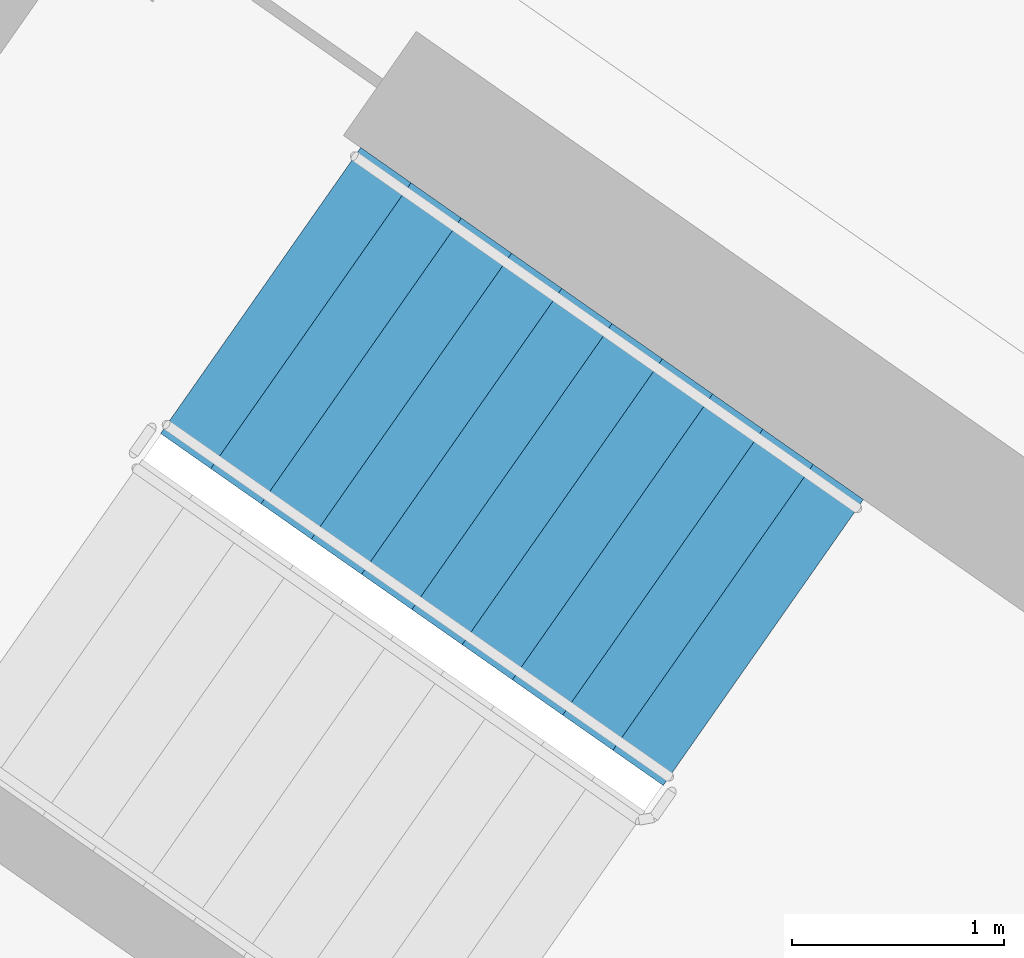
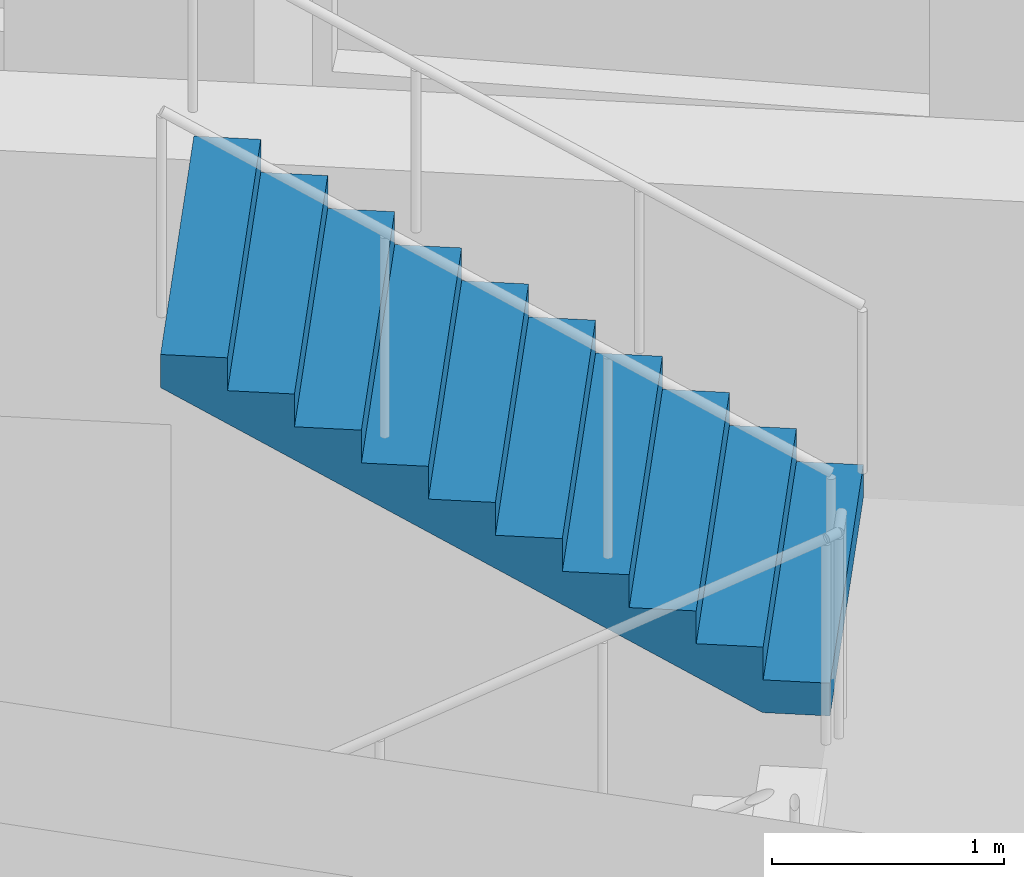
# One storey, part 14 of 27: 1 stair flight, 1 element without a shape of its own.
"""IFC4 building model written with IfcOpenShell, lengths in metres."""

from ifc_helpers import new_model, si_unit, direction, frame, origin, place, context, subcontext, project, spatial, faceted_brep, material, type_object, element, aggregate, save


model = new_model("IFC4")

# Units and contexts
model_context = context("Model", 3, precision=1e-05, world=origin(), true_north=direction((0.0, 1.0)))
body_context = subcontext(model_context, "Body", "Model", "MODEL_VIEW")
ifc_project = project(units=[si_unit("LENGTHUNIT", "METRE"), si_unit("AREAUNIT", "SQUARE_METRE"), si_unit("VOLUMEUNIT", "CUBIC_METRE"), si_unit("PLANEANGLEUNIT", "RADIAN"), si_unit("MASSUNIT", "GRAM", prefix="KILO")], contexts=[model_context])

# Site, building, storey
site_placement = place(None, origin())
site = spatial("IfcSite", under=ifc_project, at=site_placement, CompositionType="ELEMENT")
building_placement = place(site_placement, origin())
building = spatial("IfcBuilding", under=site, at=building_placement, Name="Qamariyya Broadcast Tower", CompositionType="ELEMENT")
storey_placement = place(building_placement, frame((0.0, 0.0, 187.300048828125)))
storey = spatial("IfcBuildingStorey", under=building, at=storey_placement, Name="L44", CompositionType="ELEMENT", Elevation=187.300048828125)

# Stair, stair flight
ifc_material = material(Name="Concrete C50/60", Category="concrete")
stair_type = type_object("IfcStairType", Name="Exit stair 22 risers of 173 mm", PredefinedType="HALF_TURN_STAIR", material=ifc_material)
stair_placement = place(storey_placement, origin())
stair = element("IfcStair", 1, at=stair_placement, inside=storey, type_object=stair_type, Name="L44 Stair W2", PredefinedType="HALF_TURN_STAIR")
stair_flight_type = type_object("IfcStairFlightType", Name="Exit stair flight 11 risers of 173 mm", PredefinedType="STRAIGHT", material=ifc_material)
stair_flight_placement = place(storey_placement, frame((-38.18310546875, -49.3486328125, 1.89990234375), z_axis=(0.0, 0.0, 1.0), x_axis=(-0.819152044289, 0.573576436351, 0.0)))
stair_flight = element("IfcStairFlight", 2, at=stair_flight_placement, type_object=stair_flight_type, Name="ST-W2 flight 2", NumberOfRisers=11, NumberOfTreads=10, PredefinedType="STRAIGHT", RiserHeight=0.172727273, TreadLength=0.29, context=body_context, shape_type="Brep", body=[
    faceted_brep([(0.0, 0.824951171875, 0.0), (0.0, 0.824951171875, 0.172607421875), (0.2900390625, 0.824951171875, 0.172607421875), (0.2900390625, 0.824951171875, 0.345458984375), (0.580078125, 0.824951171875, 0.345458984375), (0.580078125, 0.824951171875, 0.51806640625), (0.8701171875, 0.824951171875, 0.51806640625), (0.8701171875, 0.824951171875, 0.69091796875), (1.159912109375, 0.824951171875, 0.69091796875), (1.159912109375, 0.824951171875, 0.863525390625), (1.449951171875, 0.824951171875, 0.863525390625), (1.449951171875, 0.824951171875, 1.036376953125), (1.739990234375, 0.824951171875, 1.036376953125), (1.739990234375, 0.824951171875, 1.208984375), (2.030029296875, 0.824951171875, 1.208984375), (2.030029296875, 0.824951171875, 1.3818359375), (2.320068359375, 0.824951171875, 1.3818359375), (2.320068359375, 0.824951171875, 1.554443359375), (2.610107421875, 0.824951171875, 1.554443359375), (2.610107421875, 0.824951171875, 1.727294921875), (2.89990234375, 0.824951171875, 1.727294921875), (2.89990234375, 0.824951171875, 1.552734375), (0.29296875, 0.824951171875, 0.0), (0.29296875, -0.824951171875, 0.0), (2.89990234375, -0.824951171875, 1.552734375), (2.89990234375, -0.824951171875, 1.727294921875), (2.610107421875, -0.824951171875, 1.727294921875), (2.610107421875, -0.824951171875, 1.554443359375), (2.320068359375, -0.824951171875, 1.554443359375), (2.320068359375, -0.824951171875, 1.3818359375), (2.030029296875, -0.824951171875, 1.3818359375), (2.030029296875, -0.824951171875, 1.208984375), (1.739990234375, -0.824951171875, 1.208984375), (1.739990234375, -0.824951171875, 1.036376953125), (1.449951171875, -0.824951171875, 1.036376953125), (1.449951171875, -0.824951171875, 0.863525390625), (1.159912109375, -0.824951171875, 0.863525390625), (1.159912109375, -0.824951171875, 0.69091796875), (0.8701171875, -0.824951171875, 0.69091796875), (0.8701171875, -0.824951171875, 0.51806640625), (0.580078125, -0.824951171875, 0.51806640625), (0.580078125, -0.824951171875, 0.345458984375), (0.2900390625, -0.824951171875, 0.345458984375), (0.2900390625, -0.824951171875, 0.172607421875), (0.0, -0.824951171875, 0.172607421875), (0.0, -0.824951171875, 0.0), (0.0, 0.10009765625, 0.0), (0.0, 0.086669921875, 0.0), (0.0, 0.0732421875, 0.0), (0.0, 0.06005859375, 0.0), (0.0, 0.046630859375, 0.0), (0.0, 0.033447265625, 0.0), (0.0, 0.02001953125, 0.0), (0.0, 0.006591796875, 0.0), (0.0, -0.006591796875, 0.0), (0.0, -0.02001953125, 0.0), (0.0, -0.033447265625, 0.0), (0.0, -0.046630859375, 0.0), (0.0, -0.06005859375, 0.0), (0.0, -0.0732421875, 0.0), (0.0, -0.086669921875, 0.0), (0.0, -0.10009765625, 0.0), (0.0, -0.10009765625, 0.172607421875), (0.0, -0.086669921875, 0.172607421875), (0.0, -0.0732421875, 0.172607421875), (0.0, -0.06005859375, 0.172607421875), (0.0, -0.046630859375, 0.172607421875), (0.0, -0.033447265625, 0.172607421875), (0.0, -0.02001953125, 0.172607421875), (0.0, -0.006591796875, 0.172607421875), (0.0, 0.006591796875, 0.172607421875), (0.0, 0.02001953125, 0.172607421875), (0.0, 0.033447265625, 0.172607421875), (0.0, 0.046630859375, 0.172607421875), (0.0, 0.06005859375, 0.172607421875), (0.0, 0.0732421875, 0.172607421875), (0.0, 0.086669921875, 0.172607421875), (0.0, 0.10009765625, 0.172607421875), (0.2900390625, -0.10009765625, 0.172607421875), (0.2900390625, -0.086669921875, 0.172607421875), (0.2900390625, -0.0732421875, 0.172607421875), (0.2900390625, -0.06005859375, 0.172607421875), (0.2900390625, -0.046630859375, 0.172607421875), (0.2900390625, -0.033447265625, 0.172607421875), (0.2900390625, -0.02001953125, 0.172607421875), (0.2900390625, -0.006591796875, 0.172607421875), (0.2900390625, 0.006591796875, 0.172607421875), (0.2900390625, 0.02001953125, 0.172607421875), (0.2900390625, 0.033447265625, 0.172607421875), (0.2900390625, 0.046630859375, 0.172607421875), (0.2900390625, 0.06005859375, 0.172607421875), (0.2900390625, 0.0732421875, 0.172607421875), (0.2900390625, 0.086669921875, 0.172607421875), (0.2900390625, 0.10009765625, 0.172607421875), (0.2900390625, -0.10009765625, 0.345458984375), (0.2900390625, -0.086669921875, 0.345458984375), (0.2900390625, -0.0732421875, 0.345458984375), (0.2900390625, -0.06005859375, 0.345458984375), (0.2900390625, -0.046630859375, 0.345458984375), (0.2900390625, -0.033447265625, 0.345458984375), (0.2900390625, -0.02001953125, 0.345458984375), (0.2900390625, -0.006591796875, 0.345458984375), (0.2900390625, 0.006591796875, 0.345458984375), (0.2900390625, 0.02001953125, 0.345458984375), (0.2900390625, 0.033447265625, 0.345458984375), (0.2900390625, 0.046630859375, 0.345458984375), (0.2900390625, 0.06005859375, 0.345458984375), (0.2900390625, 0.0732421875, 0.345458984375), (0.2900390625, 0.086669921875, 0.345458984375), (0.2900390625, 0.10009765625, 0.345458984375), (0.580078125, -0.10009765625, 0.345458984375), (0.580078125, -0.086669921875, 0.345458984375), (0.580078125, -0.0732421875, 0.345458984375), (0.580078125, -0.06005859375, 0.345458984375), (0.580078125, -0.046630859375, 0.345458984375), (0.580078125, -0.033447265625, 0.345458984375), (0.580078125, -0.02001953125, 0.345458984375), (0.580078125, -0.006591796875, 0.345458984375), (0.580078125, 0.006591796875, 0.345458984375), (0.580078125, 0.02001953125, 0.345458984375), (0.580078125, 0.033447265625, 0.345458984375), (0.580078125, 0.046630859375, 0.345458984375), (0.580078125, 0.06005859375, 0.345458984375), (0.580078125, 0.0732421875, 0.345458984375), (0.580078125, 0.086669921875, 0.345458984375), (0.580078125, 0.10009765625, 0.345458984375), (0.580078125, -0.10009765625, 0.51806640625), (0.580078125, -0.086669921875, 0.51806640625), (0.580078125, -0.0732421875, 0.51806640625), (0.580078125, -0.06005859375, 0.51806640625), (0.580078125, -0.046630859375, 0.51806640625), (0.580078125, -0.033447265625, 0.51806640625), (0.580078125, -0.02001953125, 0.51806640625), (0.580078125, -0.006591796875, 0.51806640625), (0.580078125, 0.006591796875, 0.51806640625), (0.580078125, 0.02001953125, 0.51806640625), (0.580078125, 0.033447265625, 0.51806640625), (0.580078125, 0.046630859375, 0.51806640625), (0.580078125, 0.06005859375, 0.51806640625), (0.580078125, 0.0732421875, 0.51806640625), (0.580078125, 0.086669921875, 0.51806640625), (0.580078125, 0.10009765625, 0.51806640625), (0.8701171875, -0.10009765625, 0.51806640625), (0.8701171875, -0.086669921875, 0.51806640625), (0.8701171875, -0.0732421875, 0.51806640625), (0.8701171875, -0.06005859375, 0.51806640625), (0.8701171875, -0.046630859375, 0.51806640625), (0.8701171875, -0.033447265625, 0.51806640625), (0.8701171875, -0.02001953125, 0.51806640625), (0.8701171875, -0.006591796875, 0.51806640625), (0.8701171875, 0.006591796875, 0.51806640625), (0.8701171875, 0.02001953125, 0.51806640625), (0.8701171875, 0.033447265625, 0.51806640625), (0.8701171875, 0.046630859375, 0.51806640625), (0.8701171875, 0.06005859375, 0.51806640625), (0.8701171875, 0.0732421875, 0.51806640625), (0.8701171875, 0.086669921875, 0.51806640625), (0.8701171875, 0.10009765625, 0.51806640625), (0.8701171875, -0.10009765625, 0.69091796875), (0.8701171875, -0.086669921875, 0.69091796875), (0.8701171875, -0.0732421875, 0.69091796875), (0.8701171875, -0.06005859375, 0.69091796875), (0.8701171875, -0.046630859375, 0.69091796875), (0.8701171875, -0.033447265625, 0.69091796875), (0.8701171875, -0.02001953125, 0.69091796875), (0.8701171875, -0.006591796875, 0.69091796875), (0.8701171875, 0.006591796875, 0.69091796875), (0.8701171875, 0.02001953125, 0.69091796875), (0.8701171875, 0.033447265625, 0.69091796875), (0.8701171875, 0.046630859375, 0.69091796875), (0.8701171875, 0.06005859375, 0.69091796875), (0.8701171875, 0.0732421875, 0.69091796875), (0.8701171875, 0.086669921875, 0.69091796875), (0.8701171875, 0.10009765625, 0.69091796875), (1.159912109375, -0.10009765625, 0.69091796875), (1.159912109375, -0.086669921875, 0.69091796875), (1.159912109375, -0.0732421875, 0.69091796875), (1.159912109375, -0.06005859375, 0.69091796875), (1.159912109375, -0.046630859375, 0.69091796875), (1.159912109375, -0.033447265625, 0.69091796875), (1.159912109375, -0.02001953125, 0.69091796875), (1.159912109375, -0.006591796875, 0.69091796875), (1.159912109375, 0.006591796875, 0.69091796875), (1.159912109375, 0.02001953125, 0.69091796875), (1.159912109375, 0.033447265625, 0.69091796875), (1.159912109375, 0.046630859375, 0.69091796875), (1.159912109375, 0.06005859375, 0.69091796875), (1.159912109375, 0.0732421875, 0.69091796875), (1.159912109375, 0.086669921875, 0.69091796875), (1.159912109375, 0.10009765625, 0.69091796875), (1.159912109375, -0.10009765625, 0.863525390625), (1.159912109375, -0.086669921875, 0.863525390625), (1.159912109375, -0.0732421875, 0.863525390625), (1.159912109375, -0.06005859375, 0.863525390625), (1.159912109375, -0.046630859375, 0.863525390625), (1.159912109375, -0.033447265625, 0.863525390625), (1.159912109375, -0.02001953125, 0.863525390625), (1.159912109375, -0.006591796875, 0.863525390625), (1.159912109375, 0.006591796875, 0.863525390625), (1.159912109375, 0.02001953125, 0.863525390625), (1.159912109375, 0.033447265625, 0.863525390625), (1.159912109375, 0.046630859375, 0.863525390625), (1.159912109375, 0.06005859375, 0.863525390625), (1.159912109375, 0.0732421875, 0.863525390625), (1.159912109375, 0.086669921875, 0.863525390625), (1.159912109375, 0.10009765625, 0.863525390625), (1.449951171875, -0.10009765625, 0.863525390625), (1.449951171875, -0.086669921875, 0.863525390625), (1.449951171875, -0.0732421875, 0.863525390625), (1.449951171875, -0.06005859375, 0.863525390625), (1.449951171875, -0.046630859375, 0.863525390625), (1.449951171875, -0.033447265625, 0.863525390625), (1.449951171875, -0.02001953125, 0.863525390625), (1.449951171875, -0.006591796875, 0.863525390625), (1.449951171875, 0.006591796875, 0.863525390625), (1.449951171875, 0.02001953125, 0.863525390625), (1.449951171875, 0.033447265625, 0.863525390625), (1.449951171875, 0.046630859375, 0.863525390625), (1.449951171875, 0.06005859375, 0.863525390625), (1.449951171875, 0.0732421875, 0.863525390625), (1.449951171875, 0.086669921875, 0.863525390625), (1.449951171875, 0.10009765625, 0.863525390625), (1.449951171875, -0.10009765625, 1.036376953125), (1.449951171875, -0.086669921875, 1.036376953125), (1.449951171875, -0.0732421875, 1.036376953125), (1.449951171875, -0.06005859375, 1.036376953125), (1.449951171875, -0.046630859375, 1.036376953125), (1.449951171875, -0.033447265625, 1.036376953125), (1.449951171875, -0.02001953125, 1.036376953125), (1.449951171875, -0.006591796875, 1.036376953125), (1.449951171875, 0.006591796875, 1.036376953125), (1.449951171875, 0.02001953125, 1.036376953125), (1.449951171875, 0.033447265625, 1.036376953125), (1.449951171875, 0.046630859375, 1.036376953125), (1.449951171875, 0.06005859375, 1.036376953125), (1.449951171875, 0.0732421875, 1.036376953125), (1.449951171875, 0.086669921875, 1.036376953125), (1.449951171875, 0.10009765625, 1.036376953125), (1.739990234375, -0.10009765625, 1.036376953125), (1.739990234375, -0.086669921875, 1.036376953125), (1.739990234375, -0.0732421875, 1.036376953125), (1.739990234375, -0.06005859375, 1.036376953125), (1.739990234375, -0.046630859375, 1.036376953125), (1.739990234375, -0.033447265625, 1.036376953125), (1.739990234375, -0.02001953125, 1.036376953125), (1.739990234375, -0.006591796875, 1.036376953125), (1.739990234375, 0.006591796875, 1.036376953125), (1.739990234375, 0.02001953125, 1.036376953125), (1.739990234375, 0.033447265625, 1.036376953125), (1.739990234375, 0.046630859375, 1.036376953125), (1.739990234375, 0.06005859375, 1.036376953125), (1.739990234375, 0.0732421875, 1.036376953125), (1.739990234375, 0.086669921875, 1.036376953125), (1.739990234375, 0.10009765625, 1.036376953125), (1.739990234375, -0.10009765625, 1.208984375), (1.739990234375, -0.086669921875, 1.208984375), (1.739990234375, -0.0732421875, 1.208984375), (1.739990234375, -0.06005859375, 1.208984375), (1.739990234375, -0.046630859375, 1.208984375), (1.739990234375, -0.033447265625, 1.208984375), (1.739990234375, -0.02001953125, 1.208984375), (1.739990234375, -0.006591796875, 1.208984375), (1.739990234375, 0.006591796875, 1.208984375), (1.739990234375, 0.02001953125, 1.208984375), (1.739990234375, 0.033447265625, 1.208984375), (1.739990234375, 0.046630859375, 1.208984375), (1.739990234375, 0.06005859375, 1.208984375), (1.739990234375, 0.0732421875, 1.208984375), (1.739990234375, 0.086669921875, 1.208984375), (1.739990234375, 0.10009765625, 1.208984375), (2.030029296875, -0.10009765625, 1.208984375), (2.030029296875, -0.086669921875, 1.208984375), (2.030029296875, -0.0732421875, 1.208984375), (2.030029296875, -0.06005859375, 1.208984375), (2.030029296875, -0.046630859375, 1.208984375), (2.030029296875, -0.033447265625, 1.208984375), (2.030029296875, -0.02001953125, 1.208984375), (2.030029296875, -0.006591796875, 1.208984375), (2.030029296875, 0.006591796875, 1.208984375), (2.030029296875, 0.02001953125, 1.208984375), (2.030029296875, 0.033447265625, 1.208984375), (2.030029296875, 0.046630859375, 1.208984375), (2.030029296875, 0.06005859375, 1.208984375), (2.030029296875, 0.0732421875, 1.208984375), (2.030029296875, 0.086669921875, 1.208984375), (2.030029296875, 0.10009765625, 1.208984375), (2.030029296875, -0.10009765625, 1.3818359375), (2.030029296875, -0.086669921875, 1.3818359375), (2.030029296875, -0.0732421875, 1.3818359375), (2.030029296875, -0.06005859375, 1.3818359375), (2.030029296875, -0.046630859375, 1.3818359375), (2.030029296875, -0.033447265625, 1.3818359375), (2.030029296875, -0.02001953125, 1.3818359375), (2.030029296875, -0.006591796875, 1.3818359375), (2.030029296875, 0.006591796875, 1.3818359375), (2.030029296875, 0.02001953125, 1.3818359375), (2.030029296875, 0.033447265625, 1.3818359375), (2.030029296875, 0.046630859375, 1.3818359375), (2.030029296875, 0.06005859375, 1.3818359375), (2.030029296875, 0.0732421875, 1.3818359375), (2.030029296875, 0.086669921875, 1.3818359375), (2.030029296875, 0.10009765625, 1.3818359375), (2.320068359375, -0.10009765625, 1.3818359375), (2.320068359375, -0.086669921875, 1.3818359375), (2.320068359375, -0.0732421875, 1.3818359375), (2.320068359375, -0.06005859375, 1.3818359375), (2.320068359375, -0.046630859375, 1.3818359375), (2.320068359375, -0.033447265625, 1.3818359375), (2.320068359375, -0.02001953125, 1.3818359375), (2.320068359375, -0.006591796875, 1.3818359375), (2.320068359375, 0.006591796875, 1.3818359375), (2.320068359375, 0.02001953125, 1.3818359375), (2.320068359375, 0.033447265625, 1.3818359375), (2.320068359375, 0.046630859375, 1.3818359375), (2.320068359375, 0.06005859375, 1.3818359375), (2.320068359375, 0.0732421875, 1.3818359375), (2.320068359375, 0.086669921875, 1.3818359375), (2.320068359375, 0.10009765625, 1.3818359375), (2.320068359375, -0.10009765625, 1.554443359375), (2.320068359375, -0.086669921875, 1.554443359375), (2.320068359375, -0.0732421875, 1.554443359375), (2.320068359375, -0.06005859375, 1.554443359375), (2.320068359375, -0.046630859375, 1.554443359375), (2.320068359375, -0.033447265625, 1.554443359375), (2.320068359375, -0.02001953125, 1.554443359375), (2.320068359375, -0.006591796875, 1.554443359375), (2.320068359375, 0.006591796875, 1.554443359375), (2.320068359375, 0.02001953125, 1.554443359375), (2.320068359375, 0.033447265625, 1.554443359375), (2.320068359375, 0.046630859375, 1.554443359375), (2.320068359375, 0.06005859375, 1.554443359375), (2.320068359375, 0.0732421875, 1.554443359375), (2.320068359375, 0.086669921875, 1.554443359375), (2.320068359375, 0.10009765625, 1.554443359375), (2.610107421875, -0.10009765625, 1.554443359375), (2.610107421875, -0.086669921875, 1.554443359375), (2.610107421875, -0.0732421875, 1.554443359375), (2.610107421875, -0.06005859375, 1.554443359375), (2.610107421875, -0.046630859375, 1.554443359375), (2.610107421875, -0.033447265625, 1.554443359375), (2.610107421875, -0.02001953125, 1.554443359375), (2.610107421875, -0.006591796875, 1.554443359375), (2.610107421875, 0.006591796875, 1.554443359375), (2.610107421875, 0.02001953125, 1.554443359375), (2.610107421875, 0.033447265625, 1.554443359375), (2.610107421875, 0.046630859375, 1.554443359375), (2.610107421875, 0.06005859375, 1.554443359375), (2.610107421875, 0.0732421875, 1.554443359375), (2.610107421875, 0.086669921875, 1.554443359375), (2.610107421875, 0.10009765625, 1.554443359375), (2.610107421875, -0.10009765625, 1.727294921875), (2.610107421875, -0.086669921875, 1.727294921875), (2.610107421875, -0.0732421875, 1.727294921875), (2.610107421875, -0.06005859375, 1.727294921875), (2.610107421875, -0.046630859375, 1.727294921875), (2.610107421875, -0.033447265625, 1.727294921875), (2.610107421875, -0.02001953125, 1.727294921875), (2.610107421875, -0.006591796875, 1.727294921875), (2.610107421875, 0.006591796875, 1.727294921875), (2.610107421875, 0.02001953125, 1.727294921875), (2.610107421875, 0.033447265625, 1.727294921875), (2.610107421875, 0.046630859375, 1.727294921875), (2.610107421875, 0.06005859375, 1.727294921875), (2.610107421875, 0.0732421875, 1.727294921875), (2.610107421875, 0.086669921875, 1.727294921875), (2.610107421875, 0.10009765625, 1.727294921875), (2.89990234375, -0.10009765625, 1.727294921875), (2.89990234375, -0.086669921875, 1.727294921875), (2.89990234375, -0.0732421875, 1.727294921875), (2.89990234375, -0.06005859375, 1.727294921875), (2.89990234375, -0.046630859375, 1.727294921875), (2.89990234375, -0.033447265625, 1.727294921875), (2.89990234375, -0.02001953125, 1.727294921875), (2.89990234375, -0.006591796875, 1.727294921875), (2.89990234375, 0.006591796875, 1.727294921875), (2.89990234375, 0.02001953125, 1.727294921875), (2.89990234375, 0.033447265625, 1.727294921875), (2.89990234375, 0.046630859375, 1.727294921875), (2.89990234375, 0.06005859375, 1.727294921875), (2.89990234375, 0.0732421875, 1.727294921875), (2.89990234375, 0.086669921875, 1.727294921875), (2.89990234375, 0.10009765625, 1.727294921875), (2.89990234375, -0.10009765625, 1.552734375), (2.89990234375, -0.086669921875, 1.552734375), (2.89990234375, -0.0732421875, 1.552734375), (2.89990234375, -0.06005859375, 1.552734375), (2.89990234375, -0.046630859375, 1.552734375), (2.89990234375, -0.033447265625, 1.552734375), (2.89990234375, -0.02001953125, 1.552734375), (2.89990234375, -0.006591796875, 1.552734375), (2.89990234375, 0.006591796875, 1.552734375), (2.89990234375, 0.02001953125, 1.552734375), (2.89990234375, 0.033447265625, 1.552734375), (2.89990234375, 0.046630859375, 1.552734375), (2.89990234375, 0.06005859375, 1.552734375), (2.89990234375, 0.0732421875, 1.552734375), (2.89990234375, 0.086669921875, 1.552734375), (2.89990234375, 0.10009765625, 1.552734375), (0.29296875, -0.10009765625, 0.0), (0.29296875, -0.086669921875, 0.0), (0.29296875, -0.0732421875, 0.0), (0.29296875, -0.06005859375, 0.0), (0.29296875, -0.046630859375, 0.0), (0.29296875, -0.033447265625, 0.0), (0.29296875, -0.02001953125, 0.0), (0.29296875, -0.006591796875, 0.0), (0.29296875, 0.006591796875, 0.0), (0.29296875, 0.02001953125, 0.0), (0.29296875, 0.033447265625, 0.0), (0.29296875, 0.046630859375, 0.0), (0.29296875, 0.06005859375, 0.0), (0.29296875, 0.0732421875, 0.0), (0.29296875, 0.086669921875, 0.0), (0.29296875, 0.10009765625, 0.0)], [[[0, 1, 2, 3, 4, 5, 6, 7, 8, 9, 10, 11, 12, 13, 14, 15, 16, 17, 18, 19, 20, 21, 22]], [[23, 24, 25, 26, 27, 28, 29, 30, 31, 32, 33, 34, 35, 36, 37, 38, 39, 40, 41, 42, 43, 44, 45]], [[0, 46, 47, 48, 49, 50, 51, 52, 53, 54, 55, 56, 57, 58, 59, 60, 61, 45, 44, 62, 63, 64, 65, 66, 67, 68, 69, 70, 71, 72, 73, 74, 75, 76, 77, 1]], [[1, 77, 76, 75, 74, 73, 72, 71, 70, 69, 68, 67, 66, 65, 64, 63, 62, 44, 43, 78, 79, 80, 81, 82, 83, 84, 85, 86, 87, 88, 89, 90, 91, 92, 93, 2]], [[2, 93, 92, 91, 90, 89, 88, 87, 86, 85, 84, 83, 82, 81, 80, 79, 78, 43, 42, 94, 95, 96, 97, 98, 99, 100, 101, 102, 103, 104, 105, 106, 107, 108, 109, 3]], [[3, 109, 108, 107, 106, 105, 104, 103, 102, 101, 100, 99, 98, 97, 96, 95, 94, 42, 41, 110, 111, 112, 113, 114, 115, 116, 117, 118, 119, 120, 121, 122, 123, 124, 125, 4]], [[4, 125, 124, 123, 122, 121, 120, 119, 118, 117, 116, 115, 114, 113, 112, 111, 110, 41, 40, 126, 127, 128, 129, 130, 131, 132, 133, 134, 135, 136, 137, 138, 139, 140, 141, 5]], [[5, 141, 140, 139, 138, 137, 136, 135, 134, 133, 132, 131, 130, 129, 128, 127, 126, 40, 39, 142, 143, 144, 145, 146, 147, 148, 149, 150, 151, 152, 153, 154, 155, 156, 157, 6]], [[6, 157, 156, 155, 154, 153, 152, 151, 150, 149, 148, 147, 146, 145, 144, 143, 142, 39, 38, 158, 159, 160, 161, 162, 163, 164, 165, 166, 167, 168, 169, 170, 171, 172, 173, 7]], [[7, 173, 172, 171, 170, 169, 168, 167, 166, 165, 164, 163, 162, 161, 160, 159, 158, 38, 37, 174, 175, 176, 177, 178, 179, 180, 181, 182, 183, 184, 185, 186, 187, 188, 189, 8]], [[8, 189, 188, 187, 186, 185, 184, 183, 182, 181, 180, 179, 178, 177, 176, 175, 174, 37, 36, 190, 191, 192, 193, 194, 195, 196, 197, 198, 199, 200, 201, 202, 203, 204, 205, 9]], [[9, 205, 204, 203, 202, 201, 200, 199, 198, 197, 196, 195, 194, 193, 192, 191, 190, 36, 35, 206, 207, 208, 209, 210, 211, 212, 213, 214, 215, 216, 217, 218, 219, 220, 221, 10]], [[10, 221, 220, 219, 218, 217, 216, 215, 214, 213, 212, 211, 210, 209, 208, 207, 206, 35, 34, 222, 223, 224, 225, 226, 227, 228, 229, 230, 231, 232, 233, 234, 235, 236, 237, 11]], [[11, 237, 236, 235, 234, 233, 232, 231, 230, 229, 228, 227, 226, 225, 224, 223, 222, 34, 33, 238, 239, 240, 241, 242, 243, 244, 245, 246, 247, 248, 249, 250, 251, 252, 253, 12]], [[12, 253, 252, 251, 250, 249, 248, 247, 246, 245, 244, 243, 242, 241, 240, 239, 238, 33, 32, 254, 255, 256, 257, 258, 259, 260, 261, 262, 263, 264, 265, 266, 267, 268, 269, 13]], [[13, 269, 268, 267, 266, 265, 264, 263, 262, 261, 260, 259, 258, 257, 256, 255, 254, 32, 31, 270, 271, 272, 273, 274, 275, 276, 277, 278, 279, 280, 281, 282, 283, 284, 285, 14]], [[14, 285, 284, 283, 282, 281, 280, 279, 278, 277, 276, 275, 274, 273, 272, 271, 270, 31, 30, 286, 287, 288, 289, 290, 291, 292, 293, 294, 295, 296, 297, 298, 299, 300, 301, 15]], [[15, 301, 300, 299, 298, 297, 296, 295, 294, 293, 292, 291, 290, 289, 288, 287, 286, 30, 29, 302, 303, 304, 305, 306, 307, 308, 309, 310, 311, 312, 313, 314, 315, 316, 317, 16]], [[16, 317, 316, 315, 314, 313, 312, 311, 310, 309, 308, 307, 306, 305, 304, 303, 302, 29, 28, 318, 319, 320, 321, 322, 323, 324, 325, 326, 327, 328, 329, 330, 331, 332, 333, 17]], [[17, 333, 332, 331, 330, 329, 328, 327, 326, 325, 324, 323, 322, 321, 320, 319, 318, 28, 27, 334, 335, 336, 337, 338, 339, 340, 341, 342, 343, 344, 345, 346, 347, 348, 349, 18]], [[18, 349, 348, 347, 346, 345, 344, 343, 342, 341, 340, 339, 338, 337, 336, 335, 334, 27, 26, 350, 351, 352, 353, 354, 355, 356, 357, 358, 359, 360, 361, 362, 363, 364, 365, 19]], [[19, 365, 364, 363, 362, 361, 360, 359, 358, 357, 356, 355, 354, 353, 352, 351, 350, 26, 25, 366, 367, 368, 369, 370, 371, 372, 373, 374, 375, 376, 377, 378, 379, 380, 381, 20]], [[20, 381, 380, 379, 378, 377, 376, 375, 374, 373, 372, 371, 370, 369, 368, 367, 366, 25, 24, 382, 383, 384, 385, 386, 387, 388, 389, 390, 391, 392, 393, 394, 395, 396, 397, 21]], [[21, 397, 396, 395, 394, 393, 392, 391, 390, 389, 388, 387, 386, 385, 384, 383, 382, 24, 23, 398, 399, 400, 401, 402, 403, 404, 405, 406, 407, 408, 409, 410, 411, 412, 413, 22]], [[22, 413, 412, 411, 410, 409, 408, 407, 406, 405, 404, 403, 402, 401, 400, 399, 398, 23, 45, 61, 60, 59, 58, 57, 56, 55, 54, 53, 52, 51, 50, 49, 48, 47, 46, 0]]]),
])
aggregate(stair, [stair_flight])

save(model, "model.ifc")
